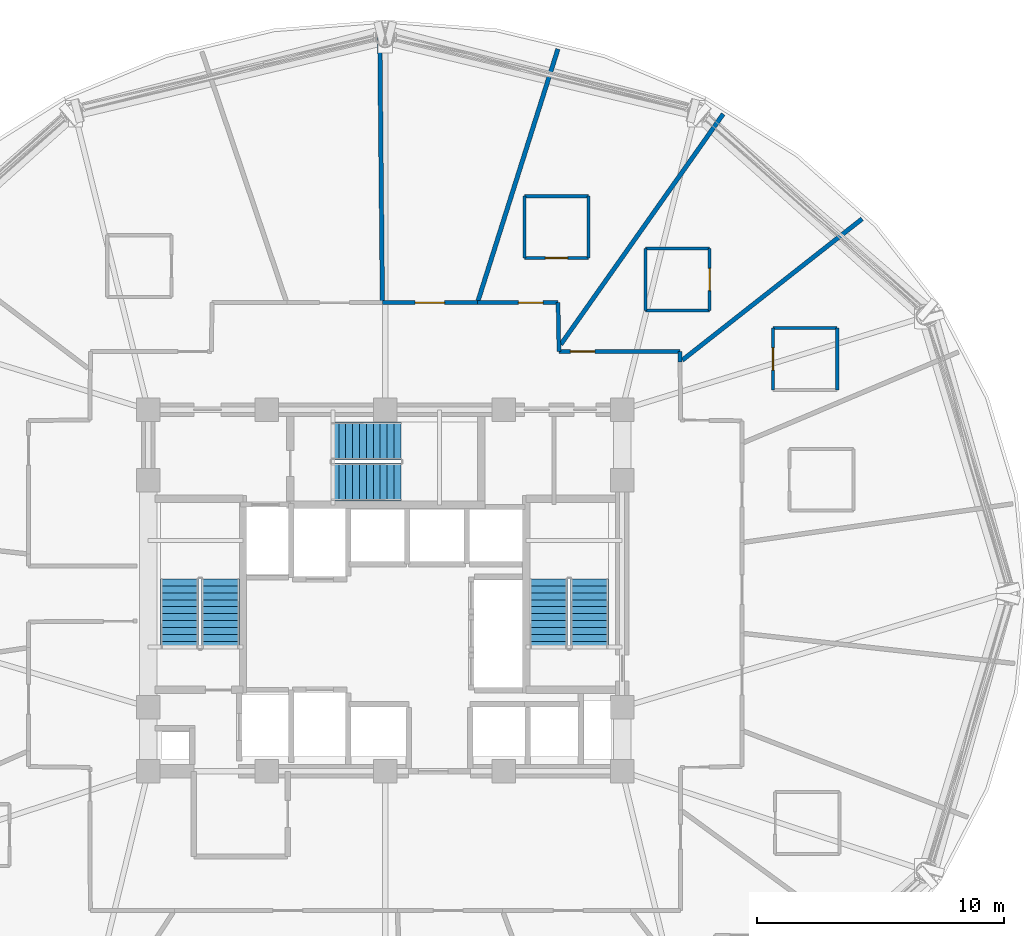
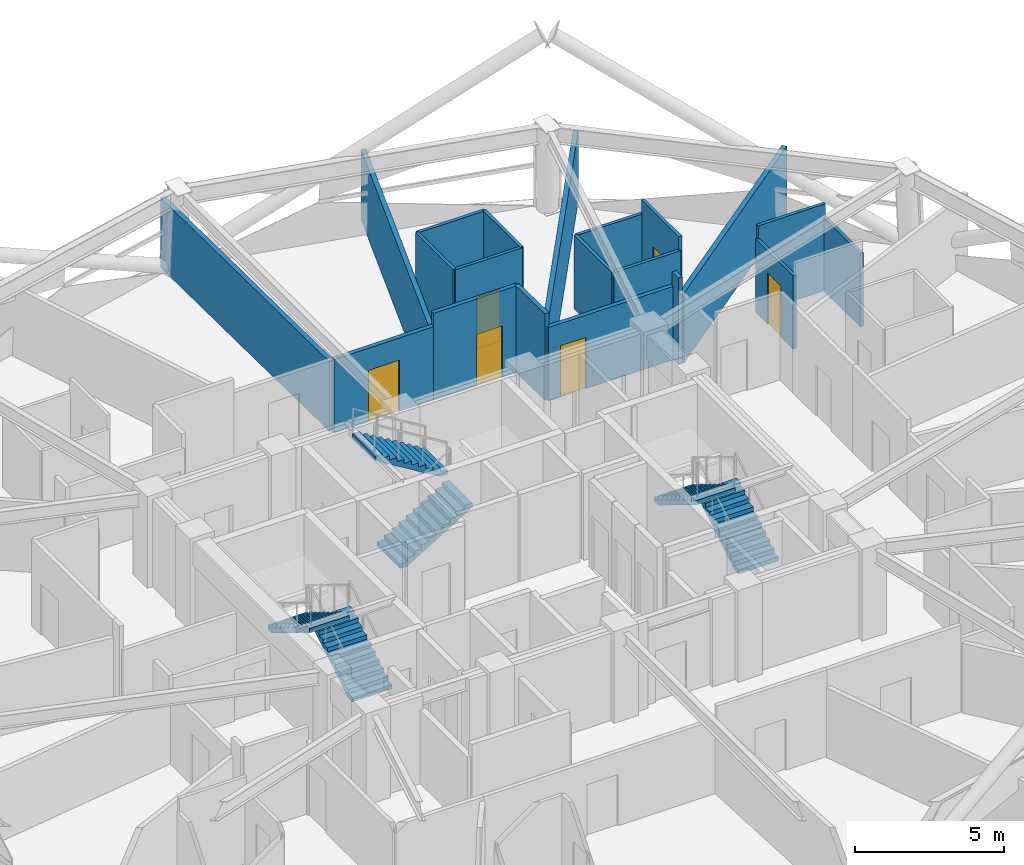
# One storey, part 9 of 13: 20 walls, 6 doors, 6 stair flights, 6 openings, 3 elements without a shape of their own.
"""IFC4 building model written with IfcOpenShell, lengths in metres."""

from ifc_helpers import new_model, si_unit, direction, frame, frame_2d, origin, place, context, subcontext, project, spatial, polyline, rectangle, outline, extrude, material, layer, layer_set, type_object, element, fill, aggregate, save


model = new_model("IFC4")

# Units and contexts
model_context = context("Model", 3, precision=1e-05, world=origin(), true_north=direction((0.0, 1.0)))
body_context = subcontext(model_context, "Body", "Model", "MODEL_VIEW")
ifc_project = project(units=[si_unit("LENGTHUNIT", "METRE"), si_unit("AREAUNIT", "SQUARE_METRE"), si_unit("VOLUMEUNIT", "CUBIC_METRE"), si_unit("PLANEANGLEUNIT", "RADIAN"), si_unit("MASSUNIT", "GRAM", prefix="KILO")], contexts=[model_context])

# Site, building, storey
site_placement = place(None, origin())
site = spatial("IfcSite", under=ifc_project, at=site_placement, CompositionType="ELEMENT")
building_placement = place(site_placement, origin())
building = spatial("IfcBuilding", under=site, at=building_placement, Name="Vantalir Tower", CompositionType="ELEMENT")
storey_placement = place(building_placement, frame((0.0, 0.0, 127.199951171875)))
storey = spatial("IfcBuildingStorey", under=building, at=storey_placement, Name="L31", CompositionType="ELEMENT", Elevation=127.199951171875)

# Wall
ifc_material_1 = material(Name="Moisture-resistant en-suite partition", Category="gypsum")
ifc_layer_1 = layer(ifc_material_1, 0.125)
ifc_layer_set_1 = layer_set([ifc_layer_1], Name="Moisture-resistant en-suite partition")
wall_type_1 = type_object("IfcWallType", Name="WL-BATH-125", PredefinedType="PARTITIONING", material=ifc_layer_set_1)
wall_1_placement = place(storey_placement, frame((47.215087890625, 35.75390625, 0.0), z_axis=(0.0, 0.0, 1.0), x_axis=(1.0, 0.0, 0.0)))
element("IfcWall", 1, at=wall_1_placement, inside=storey, type_object=wall_type_1, Name="L31 En-suite 02 North Wall", PredefinedType="PARTITIONING", context=body_context, shape_type="SweptSolid", body=[
    extrude(rectangle(XDim=2.599853515625, YDim=0.125, at=frame_2d((1.2998046875, 0.0))), origin(), (0.0, 0.0, 1.0), 3.550048828125),
])

# Wall, opening, door
wall_2_placement = place(storey_placement, frame((47.215087890625, 33.25390625, 0.0), z_axis=(0.0, 0.0, 1.0), x_axis=(0.0, 1.0, 0.0)))
wall_2 = element("IfcWall", 2, at=wall_2_placement, inside=storey, type_object=wall_type_1, Name="L31 En-suite 02 West Wall", PredefinedType="PARTITIONING", context=body_context, shape_type="SweptSolid", body=[
    extrude(rectangle(XDim=2.5, YDim=0.125, at=frame_2d((1.25, 0.0))), origin(), (0.0, 0.0, 1.0), 3.006103515625),
])
opening_1_placement = place(wall_2_placement, frame((0.800048828125, 0.0, 0.0)))
opening_1 = element("IfcOpeningElement", 3, at=opening_1_placement, cuts=wall_2, Name="Opening D-WC", PredefinedType="OPENING", context=body_context, shape_type="SweptSolid", body=[
    extrude(rectangle(XDim=0.89990234375, YDim=2.10009765625, at=frame_2d((0.449951171875, 1.050048828125))), frame((0.0, 0.072509765625, 0.0), z_axis=(0.0, -1.0, 0.0), x_axis=(1.0, 0.0, 0.0)), (0.0, 0.0, 1.0), 0.14501953125),
])
ifc_material_2 = material(Name="Moisture-resistant hardwood door", Category="wood")
door_type_1 = type_object("IfcDoorType", Name="DR-ENSUITE-900", OperationType="NOTDEFINED", PredefinedType="DOOR", material=ifc_material_2)
door_1_placement = place(opening_1_placement, frame((0.89990234375, 0.0, 0.0), z_axis=(0.0, 0.0, 1.0), x_axis=(-1.0, 0.0, 0.0)))
door_1 = element("IfcDoor", 4, at=door_1_placement, inside=storey, type_object=door_type_1, Name="L31 En-suite 02 Door", OperationType="SINGLE_SWING_RIGHT", OverallHeight=2.10009765625, OverallWidth=0.89990234375, PredefinedType="DOOR", context=body_context, shape_type="SweptSolid", body=[
    extrude(rectangle(XDim=0.89990234375, YDim=2.10009765625, at=frame_2d((0.449951171875, 1.050048828125))), frame((0.0, 0.02490234375, 0.0), z_axis=(0.0, -1.0, 0.0), x_axis=(1.0, 0.0, 0.0)), (0.0, 0.0, 1.0), 0.050048828125),
])
fill(opening_1, door_1)

# Walls
wall_3_placement = place(storey_placement, frame((49.81494140625, 33.25390625, 0.0), z_axis=(0.0, 0.0, 1.0), x_axis=(0.0, 1.0, 0.0)))
element("IfcWall", 5, at=wall_3_placement, inside=storey, type_object=wall_type_1, Name="L31 En-suite 02 East Wall", PredefinedType="PARTITIONING", context=body_context, shape_type="SweptSolid", body=[
    extrude(rectangle(XDim=2.5, YDim=0.125, at=frame_2d((1.25, 0.0))), origin(), (0.0, 0.0, 1.0), 3.006103515625),
])
for number, where, z_axis, x_axis, name in (
    (6, (42.047119140625, 36.47705078125, 0.0), (0.0, 0.0, 1.0), (1.0, 0.0, 0.0), "L31 En-suite 03 South Wall"),
    (7, (42.047119140625, 38.97705078125, 0.0), (0.0, 0.0, 1.0), (1.0, 0.0, 0.0), "L31 En-suite 03 North Wall"),
):
    element("IfcWall", number, at=place(storey_placement, frame(where, z_axis=z_axis, x_axis=x_axis)), inside=storey, type_object=wall_type_1, Name=name, PredefinedType="PARTITIONING", context=body_context, shape_type="SweptSolid", body=[
        extrude(rectangle(XDim=2.599853515625, YDim=0.125, at=frame_2d((1.2998046875, 0.0))), origin(), (0.0, 0.0, 1.0), 3.006103515625),
    ])
wall_4_placement = place(storey_placement, frame((42.047119140625, 36.47705078125, 0.0), z_axis=(0.0, 0.0, 1.0), x_axis=(0.0, 1.0, 0.0)))
element("IfcWall", 8, at=wall_4_placement, inside=storey, type_object=wall_type_1, Name="L31 En-suite 03 West Wall", PredefinedType="PARTITIONING", context=body_context, shape_type="SweptSolid", body=[
    extrude(rectangle(XDim=2.5, YDim=0.125, at=frame_2d((1.25, 0.0))), origin(), (0.0, 0.0, 1.0), 3.006103515625),
])

# Wall, opening, door
wall_5_placement = place(storey_placement, frame((44.64697265625, 36.47705078125, 0.0), z_axis=(0.0, 0.0, 1.0), x_axis=(0.0, 1.0, 0.0)))
wall_5 = element("IfcWall", 9, at=wall_5_placement, inside=storey, type_object=wall_type_1, Name="L31 En-suite 03 East Wall", PredefinedType="PARTITIONING", context=body_context, shape_type="SweptSolid", body=[
    extrude(rectangle(XDim=2.5, YDim=0.125, at=frame_2d((1.25, 0.0))), origin(), (0.0, 0.0, 1.0), 3.550048828125),
])
opening_2_placement = place(wall_5_placement, frame((0.800048828125, 0.0, 0.0)))
opening_2 = element("IfcOpeningElement", 10, at=opening_2_placement, cuts=wall_5, Name="Opening D-WC", PredefinedType="OPENING", context=body_context, shape_type="SweptSolid", body=[
    extrude(rectangle(XDim=0.89990234375, YDim=2.10009765625, at=frame_2d((0.449951171875, 1.050048828125))), frame((0.0, 0.072509765625, 0.0), z_axis=(0.0, -1.0, 0.0), x_axis=(1.0, 0.0, 0.0)), (0.0, 0.0, 1.0), 0.14501953125),
])
door_2_placement = place(opening_2_placement, origin())
door_2 = element("IfcDoor", 11, at=door_2_placement, inside=storey, type_object=door_type_1, Name="L31 En-suite 03 Door", OperationType="SINGLE_SWING_LEFT", OverallHeight=2.10009765625, OverallWidth=0.89990234375, PredefinedType="DOOR", context=body_context, shape_type="SweptSolid", body=[
    extrude(rectangle(XDim=0.89990234375, YDim=2.10009765625, at=frame_2d((0.449951171875, 1.050048828125))), frame((0.0, 0.02490234375, 0.0), z_axis=(0.0, -1.0, 0.0), x_axis=(1.0, 0.0, 0.0)), (0.0, 0.0, 1.0), 0.050048828125),
])
fill(opening_2, door_2)

wall_6_placement = place(storey_placement, frame((37.136962890625, 38.60107421875, 0.0), z_axis=(0.0, 0.0, 1.0), x_axis=(1.0, 0.0, 0.0)))
wall_6 = element("IfcWall", 12, at=wall_6_placement, inside=storey, type_object=wall_type_1, Name="L31 En-suite 04 South Wall", PredefinedType="PARTITIONING", context=body_context, shape_type="SweptSolid", body=[
    extrude(rectangle(XDim=2.60009765625, YDim=0.125, at=frame_2d((1.300048828125, 0.0))), origin(), (0.0, 0.0, 1.0), 3.550048828125),
])
opening_3_placement = place(wall_6_placement, frame((0.85009765625, 0.0, 0.0)))
opening_3 = element("IfcOpeningElement", 13, at=opening_3_placement, cuts=wall_6, Name="Opening D-WC", PredefinedType="OPENING", context=body_context, shape_type="SweptSolid", body=[
    extrude(rectangle(XDim=0.89990234375, YDim=2.10009765625, at=frame_2d((0.449951171875, 1.050048828125))), frame((0.0, 0.072509765625, 0.0), z_axis=(0.0, -1.0, 0.0), x_axis=(1.0, 0.0, 0.0)), (0.0, 0.0, 1.0), 0.14501953125),
])
door_3_placement = place(opening_3_placement, origin())
door_3 = element("IfcDoor", 14, at=door_3_placement, inside=storey, type_object=door_type_1, Name="L31 En-suite 04 Door", OperationType="SINGLE_SWING_RIGHT", OverallHeight=2.10009765625, OverallWidth=0.89990234375, PredefinedType="DOOR", context=body_context, shape_type="SweptSolid", body=[
    extrude(rectangle(XDim=0.89990234375, YDim=2.10009765625, at=frame_2d((0.449951171875, 1.050048828125))), frame((0.0, 0.02490234375, 0.0), z_axis=(0.0, -1.0, 0.0), x_axis=(1.0, 0.0, 0.0)), (0.0, 0.0, 1.0), 0.050048828125),
])
fill(opening_3, door_3)

# Walls
wall_7_placement = place(storey_placement, frame((37.136962890625, 41.10107421875, 0.0), z_axis=(0.0, 0.0, 1.0), x_axis=(1.0, 0.0, 0.0)))
element("IfcWall", 15, at=wall_7_placement, inside=storey, type_object=wall_type_1, Name="L31 En-suite 04 North Wall", PredefinedType="PARTITIONING", context=body_context, shape_type="SweptSolid", body=[
    extrude(rectangle(XDim=2.60009765625, YDim=0.125, at=frame_2d((1.300048828125, 0.0))), origin(), (0.0, 0.0, 1.0), 3.550048828125),
])
for number, where, z_axis, x_axis, name in (
    (16, (37.136962890625, 38.60107421875, 0.0), (0.0, 0.0, 1.0), (0.0, 1.0, 0.0), "L31 En-suite 04 West Wall"),
    (17, (39.737060546875, 38.60107421875, 0.0), (0.0, 0.0, 1.0), (0.0, 1.0, 0.0), "L31 En-suite 04 East Wall"),
):
    element("IfcWall", number, at=place(storey_placement, frame(where, z_axis=z_axis, x_axis=x_axis)), inside=storey, type_object=wall_type_1, Name=name, PredefinedType="PARTITIONING", context=body_context, shape_type="SweptSolid", body=[
        extrude(rectangle(XDim=2.5, YDim=0.125, at=frame_2d((1.25, 0.0))), origin(), (0.0, 0.0, 1.0), 3.550048828125),
    ])

# Wall, opening, door
ifc_material_3 = material(Name="Fire-rated hotel corridor acoustic partition", Category="gypsum")
ifc_layer_2 = layer(ifc_material_3, 0.159912109375)
ifc_layer_set_2 = layer_set([ifc_layer_2], Name="Fire-rated hotel corridor acoustic partition")
wall_type_2 = type_object("IfcWallType", Name="WL-CORR-160", PredefinedType="PARTITIONING", material=ifc_layer_set_2)
wall_8_placement = place(storey_placement, frame((31.385986328125, 36.7880859375, 0.0), z_axis=(0.0, 0.0, 1.0), x_axis=(0.999999967897, 0.000253389071, 0.0)))
wall_8 = element("IfcWall", 18, at=wall_8_placement, inside=storey, type_object=wall_type_2, Name="L31 Corridor Partition 11", PredefinedType="PARTITIONING", context=body_context, shape_type="SweptSolid", body=[
    extrude(rectangle(XDim=3.85400390625, YDim=0.159912109375, at=frame_2d((1.927001953125, 0.0))), origin(), (0.0, 0.0, 1.0), 3.006103515625),
])
opening_4_placement = place(wall_8_placement, frame((1.326904296875, 0.0, 0.0)))
opening_4 = element("IfcOpeningElement", 19, at=opening_4_placement, cuts=wall_8, Name="Opening D-STE", PredefinedType="OPENING", context=body_context, shape_type="SweptSolid", body=[
    extrude(rectangle(XDim=1.199951171875, YDim=2.10009765625, at=frame_2d((0.60009765625, 1.050048828125))), frame((0.0, 0.08984375, 0.0), z_axis=(0.0, -1.0, 0.0), x_axis=(1.0, 0.0, 0.0)), (0.0, 0.0, 1.0), 0.179931640625),
])
ifc_material_4 = material(Name="Solid-core teak veneer suite entrance door", Category="wood")
door_type_2 = type_object("IfcDoorType", Name="DR-SUITE-ENTRY-1200", OperationType="NOTDEFINED", PredefinedType="DOOR", material=ifc_material_4)
door_4_placement = place(opening_4_placement, origin())
door_4 = element("IfcDoor", 20, at=door_4_placement, inside=storey, type_object=door_type_2, Name="L31 Club Reading Lounge 05 Door", OperationType="SINGLE_SWING_RIGHT", OverallHeight=2.10009765625, OverallWidth=1.199951171875, PredefinedType="DOOR", context=body_context, shape_type="SweptSolid", body=[
    extrude(rectangle(XDim=1.199951171875, YDim=2.10009765625, at=frame_2d((0.60009765625, 1.050048828125))), frame((0.0, 0.02490234375, 0.0), z_axis=(0.0, -1.0, 0.0), x_axis=(1.0, 0.0, 0.0)), (0.0, 0.0, 1.0), 0.050048828125),
])
fill(opening_4, door_4)

wall_9_placement = place(storey_placement, frame((35.239990234375, 36.7890625, 0.0), z_axis=(0.0, 0.0, 1.0), x_axis=(0.99999995524, 0.000299199628, 0.0)))
wall_9 = element("IfcWall", 21, at=wall_9_placement, inside=storey, type_object=wall_type_2, Name="L31 Corridor Partition 12", PredefinedType="PARTITIONING", context=body_context, shape_type="SweptSolid", body=[
    extrude(rectangle(XDim=3.263916015625, YDim=0.159912109375, at=frame_2d((1.6318359375, 0.0))), origin(), (0.0, 0.0, 1.0), 3.550048828125),
])
opening_5_placement = place(wall_9_placement, frame((1.655029296875, 0.0, 0.0)))
opening_5 = element("IfcOpeningElement", 22, at=opening_5_placement, cuts=wall_9, Name="Opening D-GUEST", PredefinedType="OPENING", context=body_context, shape_type="SweptSolid", body=[
    extrude(rectangle(XDim=1.0, YDim=2.10009765625, at=frame_2d((0.5, 1.050048828125))), frame((0.0, 0.08984375, 0.0), z_axis=(0.0, -1.0, 0.0), x_axis=(1.0, 0.0, 0.0)), (0.0, 0.0, 1.0), 0.179931640625),
])
ifc_material_5 = material(Name="Solid-core teak veneer acoustic fire door", Category="wood")
door_type_3 = type_object("IfcDoorType", Name="DR-GUEST-ENTRY-1000", OperationType="NOTDEFINED", PredefinedType="DOOR", material=ifc_material_5)
door_5_placement = place(opening_5_placement, origin())
door_5 = element("IfcDoor", 23, at=door_5_placement, inside=storey, type_object=door_type_3, Name="L31 Twin Queen Hotel Room 04 Door", OperationType="SINGLE_SWING_LEFT", OverallHeight=2.10009765625, OverallWidth=1.0, PredefinedType="DOOR", context=body_context, shape_type="SweptSolid", body=[
    extrude(rectangle(XDim=1.0, YDim=2.10009765625, at=frame_2d((0.5, 1.050048828125))), frame((0.0, 0.02490234375, 0.0), z_axis=(0.0, -1.0, 0.0), x_axis=(1.0, 0.0, 0.0)), (0.0, 0.0, 1.0), 0.050048828125),
])
fill(opening_5, door_5)

# Wall
wall_10_placement = place(storey_placement, frame((38.50390625, 36.7900390625, 0.0), z_axis=(0.0, 0.0, 1.0), x_axis=(0.018291129801, -0.999832703291, 0.0)))
element("IfcWall", 24, at=wall_10_placement, inside=storey, type_object=wall_type_2, Name="L31 Corridor Partition 13", PredefinedType="PARTITIONING", context=body_context, shape_type="SweptSolid", body=[
    extrude(rectangle(XDim=1.975341796875, YDim=0.159912109375, at=frame_2d((0.98779296875, 0.0))), origin(), (0.0, 0.0, 1.0), 3.550048828125),
])

# Wall, opening, door
wall_11_placement = place(storey_placement, frame((38.5400390625, 34.81494140625, 0.0), z_axis=(0.0, 0.0, 1.0), x_axis=(0.999999029632, -0.001393102783, 0.0)))
wall_11 = element("IfcWall", 25, at=wall_11_placement, inside=storey, type_object=wall_type_2, Name="L31 Corridor Partition 14", PredefinedType="PARTITIONING", context=body_context, shape_type="SweptSolid", body=[
    extrude(rectangle(XDim=4.906982421875, YDim=0.159912109375, at=frame_2d((2.45361328125, 0.0))), origin(), (0.0, 0.0, 1.0), 3.006103515625),
])
opening_6_placement = place(wall_11_placement, frame((0.458984375, 0.0, 0.0)))
opening_6 = element("IfcOpeningElement", 26, at=opening_6_placement, cuts=wall_11, Name="Opening D-GUEST", PredefinedType="OPENING", context=body_context, shape_type="SweptSolid", body=[
    extrude(rectangle(XDim=1.0, YDim=2.10009765625, at=frame_2d((0.5, 1.050048828125))), frame((0.0, 0.08984375, 0.0), z_axis=(0.0, -1.0, 0.0), x_axis=(1.0, 0.0, 0.0)), (0.0, 0.0, 1.0), 0.179931640625),
])
door_6_placement = place(opening_6_placement, origin())
door_6 = element("IfcDoor", 27, at=door_6_placement, inside=storey, type_object=door_type_3, Name="L31 Deluxe King Hotel Room 03 Door", OperationType="SINGLE_SWING_RIGHT", OverallHeight=2.10009765625, OverallWidth=1.0, PredefinedType="DOOR", context=body_context, shape_type="SweptSolid", body=[
    extrude(rectangle(XDim=1.0, YDim=2.10009765625, at=frame_2d((0.5, 1.050048828125))), frame((0.0, 0.02490234375, 0.0), z_axis=(0.0, -1.0, 0.0), x_axis=(1.0, 0.0, 0.0)), (0.0, 0.0, 1.0), 0.050048828125),
])
fill(opening_6, door_6)

# Walls
wall_12_placement = place(storey_placement, frame((43.447021484375, 34.80810546875, 0.0), z_axis=(0.0, 0.0, 1.0), x_axis=(0.00700508206, -0.999975464112, 0.0)))
element("IfcWall", 28, at=wall_12_placement, inside=storey, type_object=wall_type_2, Name="L31 Corridor Partition 15", PredefinedType="PARTITIONING", context=body_context, shape_type="SweptSolid", body=[
    extrude(rectangle(XDim=0.418212890625, YDim=0.159912109375, at=frame_2d((0.208984375, 0.0))), origin(), (0.0, 0.0, 1.0), 3.550048828125),
])
ifc_material_6 = material(Name="Twin-stud acoustic fire-rated gypsum partition", Category="gypsum")
ifc_layer_3 = layer(ifc_material_6, 0.179931640625)
ifc_layer_set_3 = layer_set([ifc_layer_3], Name="Twin-stud acoustic fire-rated gypsum partition")
wall_type_3 = type_object("IfcWallType", Name="WL-GUEST-180", PredefinedType="PARTITIONING", material=ifc_layer_set_3)
wall_13_placement = place(storey_placement, frame((43.5400390625, 34.4609375, 0.0), z_axis=(0.0, 0.0, 1.0), x_axis=(0.786310104609, 0.617832031697, 0.0)))
element("IfcWall", 29, at=wall_13_placement, inside=storey, type_object=wall_type_3, Name="L31 Radial Suite Partition 03", PredefinedType="PARTITIONING", context=body_context, shape_type="SweptSolid", body=[
    extrude(rectangle(XDim=9.259765625, YDim=0.179931640625, at=frame_2d((4.6298828125, 0.0))), origin(), (0.0, 0.0, 1.0), 2.85302734375),
])
wall_14_placement = place(storey_placement, frame((38.614990234375, 35.095947265625, 0.0), z_axis=(0.0, 0.0, 1.0), x_axis=(0.5760989648, 0.817379950058, 0.0)))
element("IfcWall", 30, at=wall_14_placement, inside=storey, type_object=wall_type_3, Name="L31 Radial Suite Partition 04", PredefinedType="PARTITIONING", context=body_context, shape_type="SweptSolid", body=[
    extrude(rectangle(XDim=11.421875, YDim=0.179931640625, at=frame_2d((5.7109375, 0.0))), origin(), (0.0, 0.0, 1.0), 2.85302734375),
])
wall_15_placement = place(storey_placement, frame((35.263916015625, 36.864990234375, 0.0), z_axis=(0.0, 0.0, 1.0), x_axis=(0.302379392366, 0.953187653651, 0.0)))
element("IfcWall", 31, at=wall_15_placement, inside=storey, type_object=wall_type_3, Name="L31 Radial Suite Partition 05", PredefinedType="PARTITIONING", context=body_context, shape_type="SweptSolid", body=[
    extrude(rectangle(XDim=10.69873046875, YDim=0.179931640625, at=frame_2d((5.349365234375, 0.0))), origin(), (0.0, 0.0, 1.0), 2.85302734375),
])
wall_16_placement = place(storey_placement, frame((31.385986328125, 36.864990234375, 0.0), z_axis=(0.0, 0.0, 1.0), x_axis=(-0.009692314611, 0.999953028416, 0.0)))
element("IfcWall", 32, at=wall_16_placement, inside=storey, type_object=wall_type_3, Name="L31 Radial Suite Partition 06", PredefinedType="PARTITIONING", context=body_context, shape_type="SweptSolid", body=[
    extrude(rectangle(XDim=11.133544921875, YDim=0.179931640625, at=frame_2d((5.56689453125, 0.0))), origin(), (0.0, 0.0, 1.0), 2.85302734375),
])

# Stair, stair flights
ifc_material_7 = material(Name="Concrete C40/50", Category="concrete")
stair_type = type_object("IfcStairType", Name="STR-CORE-1450", PredefinedType="HALF_TURN_STAIR", material=ifc_material_7)
stair_1_placement = place(storey_placement, origin())
stair_1 = element("IfcStair", 33, at=stair_1_placement, inside=storey, type_object=stair_type, Name="L31 Core Exit Stair 1", PredefinedType="HALF_TURN_STAIR")
stair_flight_type = type_object("IfcStairFlightType", Name="FLT-CORE-1450", PredefinedType="STRAIGHT", material=ifc_material_7)
stair_flight_1_placement = place(storey_placement, frame((24.830078125, 22.7900390625, 0.0), z_axis=(0.0, 0.0, 1.0), x_axis=(0.0, 1.0, 0.0)))
stair_flight_1 = element("IfcStairFlight", 34, at=stair_flight_1_placement, type_object=stair_flight_type, Name="ST1 flight 1", NumberOfRisers=11, NumberOfTreads=10, PredefinedType="STRAIGHT", RiserHeight=0.170454545, TreadLength=0.28, context=body_context, shape_type="SweptSolid", body=[
    extrude(outline(polyline([(0.0, 0.0), (0.0, 0.17041015625), (0.280029296875, 0.17041015625), (0.280029296875, 0.3408203125), (0.56005859375, 0.3408203125), (0.56005859375, 0.511474609375), (0.840087890625, 0.511474609375), (0.840087890625, 0.681884765625), (1.1201171875, 0.681884765625), (1.1201171875, 0.852294921875), (1.39990234375, 0.852294921875), (1.39990234375, 1.022705078125), (1.679931640625, 1.022705078125), (1.679931640625, 1.193115234375), (1.9599609375, 1.193115234375), (1.9599609375, 1.363525390625), (2.239990234375, 1.363525390625), (2.239990234375, 1.5341796875), (2.52001953125, 1.5341796875), (2.52001953125, 1.70458984375), (2.800048828125, 1.70458984375), (2.800048828125, 1.875), (2.800048828125, 1.529052734375), (0.288330078125, 0.0), (0.0, 0.0)])), frame((0.0, 0.77001953125, 0.0), z_axis=(0.0, -1.0, 0.0), x_axis=(1.0, 0.0, 0.0)), (0.0, 0.0, 1.0), 1.5400390625),
])
stair_flight_2_placement = place(storey_placement, frame((23.169921875, 25.590087890625, 1.875), z_axis=(0.0, 0.0, 1.0), x_axis=(0.0, -1.0, 0.0)))
stair_flight_2 = element("IfcStairFlight", 35, at=stair_flight_2_placement, type_object=stair_flight_type, Name="ST1 flight 2", NumberOfRisers=11, NumberOfTreads=10, PredefinedType="STRAIGHT", RiserHeight=0.170454545, TreadLength=0.28, context=body_context, shape_type="SweptSolid", body=[
    extrude(outline(polyline([(0.0, 0.0), (0.0, 0.17041015625), (0.280029296875, 0.17041015625), (0.280029296875, 0.3408203125), (0.56005859375, 0.3408203125), (0.56005859375, 0.511474609375), (0.840087890625, 0.511474609375), (0.840087890625, 0.681884765625), (1.1201171875, 0.681884765625), (1.1201171875, 0.852294921875), (1.39990234375, 0.852294921875), (1.39990234375, 1.022705078125), (1.679931640625, 1.022705078125), (1.679931640625, 1.193115234375), (1.9599609375, 1.193115234375), (1.9599609375, 1.363525390625), (2.239990234375, 1.363525390625), (2.239990234375, 1.5341796875), (2.52001953125, 1.5341796875), (2.52001953125, 1.70458984375), (2.800048828125, 1.70458984375), (2.800048828125, 1.875), (2.800048828125, 1.529052734375), (0.288330078125, 0.0), (0.0, 0.0)])), frame((0.0, 0.77001953125, 0.0), z_axis=(0.0, -1.0, 0.0), x_axis=(1.0, 0.0, 0.0)), (0.0, 0.0, 1.0), 1.5400390625),
])
aggregate(stair_1, [stair_flight_1, stair_flight_2])

stair_2_placement = place(storey_placement, origin())
stair_2 = element("IfcStair", 36, at=stair_2_placement, inside=storey, type_object=stair_type, Name="L31 Core Exit Stair 2", PredefinedType="HALF_TURN_STAIR")
stair_flight_3_placement = place(storey_placement, frame((39.780029296875, 22.7900390625, 0.0), z_axis=(0.0, 0.0, 1.0), x_axis=(0.0, 1.0, 0.0)))
stair_flight_3 = element("IfcStairFlight", 37, at=stair_flight_3_placement, type_object=stair_flight_type, Name="ST2 flight 1", NumberOfRisers=11, NumberOfTreads=10, PredefinedType="STRAIGHT", RiserHeight=0.170454545, TreadLength=0.28, context=body_context, shape_type="SweptSolid", body=[
    extrude(outline(polyline([(0.0, 0.0), (0.0, 0.17041015625), (0.280029296875, 0.17041015625), (0.280029296875, 0.3408203125), (0.56005859375, 0.3408203125), (0.56005859375, 0.511474609375), (0.840087890625, 0.511474609375), (0.840087890625, 0.681884765625), (1.1201171875, 0.681884765625), (1.1201171875, 0.852294921875), (1.39990234375, 0.852294921875), (1.39990234375, 1.022705078125), (1.679931640625, 1.022705078125), (1.679931640625, 1.193115234375), (1.9599609375, 1.193115234375), (1.9599609375, 1.363525390625), (2.239990234375, 1.363525390625), (2.239990234375, 1.5341796875), (2.52001953125, 1.5341796875), (2.52001953125, 1.70458984375), (2.800048828125, 1.70458984375), (2.800048828125, 1.875), (2.800048828125, 1.529052734375), (0.288330078125, 0.0), (0.0, 0.0)])), frame((0.0, 0.77001953125, 0.0), z_axis=(0.0, -1.0, 0.0), x_axis=(1.0, 0.0, 0.0)), (0.0, 0.0, 1.0), 1.5400390625),
])
stair_flight_4_placement = place(storey_placement, frame((38.1201171875, 25.590087890625, 1.875), z_axis=(0.0, 0.0, 1.0), x_axis=(0.0, -1.0, 0.0)))
stair_flight_4 = element("IfcStairFlight", 38, at=stair_flight_4_placement, type_object=stair_flight_type, Name="ST2 flight 2", NumberOfRisers=11, NumberOfTreads=10, PredefinedType="STRAIGHT", RiserHeight=0.170454545, TreadLength=0.28, context=body_context, shape_type="SweptSolid", body=[
    extrude(outline(polyline([(0.0, 0.0), (0.0, 0.17041015625), (0.280029296875, 0.17041015625), (0.280029296875, 0.3408203125), (0.56005859375, 0.3408203125), (0.56005859375, 0.511474609375), (0.840087890625, 0.511474609375), (0.840087890625, 0.681884765625), (1.1201171875, 0.681884765625), (1.1201171875, 0.852294921875), (1.39990234375, 0.852294921875), (1.39990234375, 1.022705078125), (1.679931640625, 1.022705078125), (1.679931640625, 1.193115234375), (1.9599609375, 1.193115234375), (1.9599609375, 1.363525390625), (2.239990234375, 1.363525390625), (2.239990234375, 1.5341796875), (2.52001953125, 1.5341796875), (2.52001953125, 1.70458984375), (2.800048828125, 1.70458984375), (2.800048828125, 1.875), (2.800048828125, 1.529052734375), (0.288330078125, 0.0), (0.0, 0.0)])), frame((0.0, 0.77001953125, 0.0), z_axis=(0.0, -1.0, 0.0), x_axis=(1.0, 0.0, 0.0)), (0.0, 0.0, 1.0), 1.5400390625),
])
aggregate(stair_2, [stair_flight_3, stair_flight_4])

stair_3_placement = place(storey_placement, origin())
stair_3 = element("IfcStair", 39, at=stair_3_placement, inside=storey, type_object=stair_type, Name="L31 Core Exit Stair 3", PredefinedType="HALF_TURN_STAIR")
stair_flight_5_placement = place(storey_placement, frame((29.340087890625, 29.52001953125, 0.0), z_axis=(0.0, 0.0, 1.0), x_axis=(1.0, 0.0, 0.0)))
stair_flight_5 = element("IfcStairFlight", 40, at=stair_flight_5_placement, type_object=stair_flight_type, Name="ST3 flight 1", NumberOfRisers=11, NumberOfTreads=10, PredefinedType="STRAIGHT", RiserHeight=0.170454545, TreadLength=0.28, context=body_context, shape_type="SweptSolid", body=[
    extrude(outline(polyline([(0.0, 0.0), (0.0, 0.17041015625), (0.280029296875, 0.17041015625), (0.280029296875, 0.3408203125), (0.56005859375, 0.3408203125), (0.56005859375, 0.511474609375), (0.840087890625, 0.511474609375), (0.840087890625, 0.681884765625), (1.1201171875, 0.681884765625), (1.1201171875, 0.852294921875), (1.39990234375, 0.852294921875), (1.39990234375, 1.022705078125), (1.679931640625, 1.022705078125), (1.679931640625, 1.193115234375), (1.9599609375, 1.193115234375), (1.9599609375, 1.363525390625), (2.239990234375, 1.363525390625), (2.239990234375, 1.5341796875), (2.52001953125, 1.5341796875), (2.52001953125, 1.70458984375), (2.800048828125, 1.70458984375), (2.800048828125, 1.875), (2.800048828125, 1.529052734375), (0.288330078125, 0.0), (0.0, 0.0)])), frame((0.0, 0.77001953125, 0.0), z_axis=(0.0, -1.0, 0.0), x_axis=(1.0, 0.0, 0.0)), (0.0, 0.0, 1.0), 1.5400390625),
])
stair_flight_6_placement = place(storey_placement, frame((32.139892578125, 31.179931640625, 1.875), z_axis=(0.0, 0.0, 1.0), x_axis=(-1.0, 0.0, 0.0)))
stair_flight_6 = element("IfcStairFlight", 41, at=stair_flight_6_placement, type_object=stair_flight_type, Name="ST3 flight 2", NumberOfRisers=11, NumberOfTreads=10, PredefinedType="STRAIGHT", RiserHeight=0.170454545, TreadLength=0.28, context=body_context, shape_type="SweptSolid", body=[
    extrude(outline(polyline([(0.0, 0.0), (0.0, 0.17041015625), (0.280029296875, 0.17041015625), (0.280029296875, 0.3408203125), (0.56005859375, 0.3408203125), (0.56005859375, 0.511474609375), (0.840087890625, 0.511474609375), (0.840087890625, 0.681884765625), (1.1201171875, 0.681884765625), (1.1201171875, 0.852294921875), (1.39990234375, 0.852294921875), (1.39990234375, 1.022705078125), (1.679931640625, 1.022705078125), (1.679931640625, 1.193115234375), (1.9599609375, 1.193115234375), (1.9599609375, 1.363525390625), (2.239990234375, 1.363525390625), (2.239990234375, 1.5341796875), (2.52001953125, 1.5341796875), (2.52001953125, 1.70458984375), (2.800048828125, 1.70458984375), (2.800048828125, 1.875), (2.800048828125, 1.529052734375), (0.288330078125, 0.0), (0.0, 0.0)])), frame((0.0, 0.77001953125, 0.0), z_axis=(0.0, -1.0, 0.0), x_axis=(1.0, 0.0, 0.0)), (0.0, 0.0, 1.0), 1.5400390625),
])
aggregate(stair_3, [stair_flight_5, stair_flight_6])

save(model, "model.ifc")
